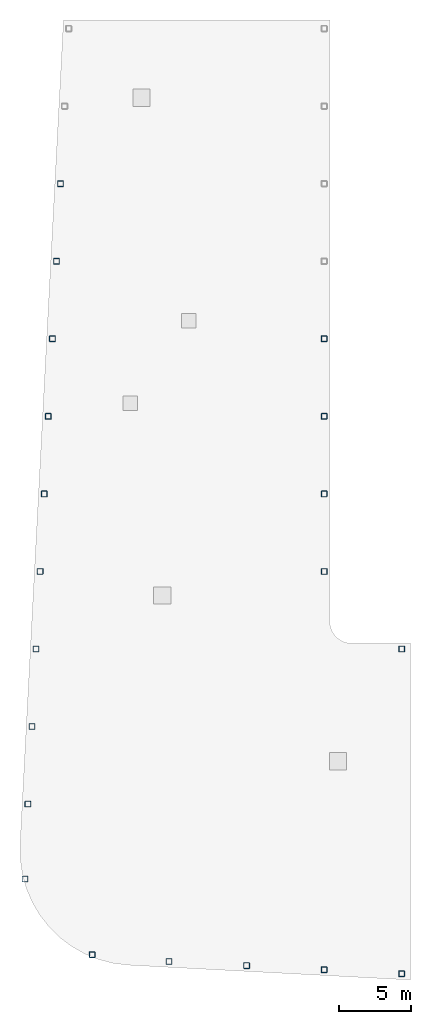
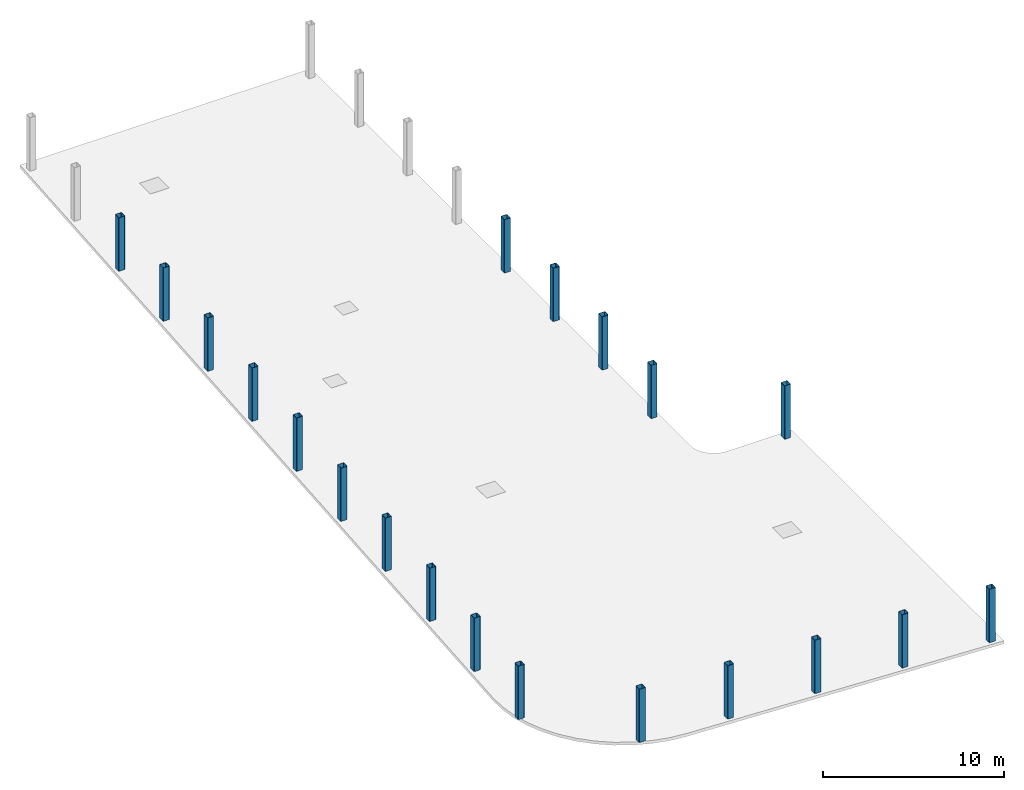
# One storey, part 1 of 3: 20 columns.
"""IFC4 building model written with IfcOpenShell, lengths in metres."""

from ifc_helpers import new_model, si_unit, direction, frame, origin, origin_2d, place, context, subcontext, project, spatial, hollow_rectangle, extrude, material, material_profile, profile_set, type_object, element, save


model = new_model("IFC4")

# Units and contexts
model_context = context("Model", 3, precision=1e-05, world=origin(), true_north=direction((0.0, 1.0)))
body_context = subcontext(model_context, "Body", "Model", "MODEL_VIEW")
ifc_project = project(units=[si_unit("LENGTHUNIT", "METRE"), si_unit("AREAUNIT", "SQUARE_METRE"), si_unit("VOLUMEUNIT", "CUBIC_METRE"), si_unit("PLANEANGLEUNIT", "RADIAN"), si_unit("MASSUNIT", "GRAM", prefix="KILO")], contexts=[model_context])

# Site, building, storey
site_placement = place(None, origin())
site = spatial("IfcSite", under=ifc_project, at=site_placement, CompositionType="ELEMENT")
building_placement = place(site_placement, origin())
building = spatial("IfcBuilding", under=site, at=building_placement, Name="Kheshtan School and Residences Tower", CompositionType="ELEMENT")
storey_placement = place(building_placement, frame((0.0, 0.0, 412.800048828125)))
storey = spatial("IfcBuildingStorey", under=building, at=storey_placement, Name="Roof", CompositionType="ELEMENT", Elevation=412.800048828125)

# Columns
ifc_material = material(Name="Steel ASTM A500 Grade C", Category="steel")
ifc_material_profile = material_profile(ifc_material, hollow_rectangle(XDim=0.406005859375, YDim=0.406005859375, WallThickness=0.01904296875, InnerFilletRadius=0.01904296875, OuterFilletRadius=0.0380859375, at=origin_2d()), Name="HSS 406x406x19")
ifc_profile_set = profile_set([ifc_material_profile], Name="Steel ASTM A500 Grade C")
column_type = type_object("IfcColumnType", Name="Column CF1 HSS 406x406x19 ASTM A500 Grade C", PredefinedType="COLUMN", material=ifc_profile_set)
for number, where, z_axis, x_axis, name in (
    (1, (53.0, 22.97998046875, 0.0), (0.0, 0.0, 1.0), (1.0, 0.0, 0.0), "Crown frame post C019"),
    (2, (47.60009765625, 23.263916015625, 0.0), (0.0, 0.0, 1.0), (1.0, 0.0, 0.0), "Crown frame post C020"),
    (3, (42.199951171875, 23.548095703125, 0.0), (0.0, 0.0, 1.0), (1.0, 0.0, 0.0), "Crown frame post C021"),
    (4, (36.800048828125, 23.83203125, 0.0), (0.0, 0.0, 1.0), (1.0, 0.0, 0.0), "Crown frame post C022"),
    (5, (31.447021484375, 24.31005859375, 0.0), (0.0, 0.0, 1.0), (1.0, 0.0, 0.0), "Crown frame post C034"),
    (6, (26.76708984375, 29.58203125, 0.0), (0.0, 0.0, 1.0), (1.0, 0.0, 0.0), "Crown frame post C048"),
    (7, (26.968994140625, 34.800048828125, 0.0), (0.0, 0.0, 1.0), (1.0, 0.0, 0.0), "Crown frame post C052"),
    (8, (27.2529296875, 40.199951171875, 0.0), (0.0, 0.0, 1.0), (1.0, 0.0, 0.0), "Crown frame post C056"),
    (9, (27.537109375, 45.60009765625, 0.0), (0.0, 0.0, 1.0), (1.0, 0.0, 0.0), "Crown frame post C059"),
    (10, (53.0, 45.60009765625, 0.0), (0.0, 0.0, 1.0), (1.0, 0.0, 0.0), "Crown frame post C061"),
    (11, (27.822021484375, 51.0, 0.0), (0.0, 0.0, 1.0), (1.0, 0.0, 0.0), "Crown frame post C078"),
    (12, (47.60009765625, 51.0, 0.0), (0.0, 0.0, 1.0), (1.0, 0.0, 0.0), "Crown frame post C079"),
    (13, (28.10595703125, 56.39990234375, 0.0), (0.0, 0.0, 1.0), (1.0, 0.0, 0.0), "Crown frame post C080"),
    (14, (47.60009765625, 56.39990234375, 0.0), (0.0, 0.0, 1.0), (1.0, 0.0, 0.0), "Crown frame post C081"),
    (15, (28.389892578125, 61.800048828125, 0.0), (0.0, 0.0, 1.0), (1.0, 0.0, 0.0), "Crown frame post C082"),
    (16, (47.60009765625, 61.800048828125, 0.0), (0.0, 0.0, 1.0), (1.0, 0.0, 0.0), "Crown frame post C083"),
    (17, (28.674072265625, 67.199951171875, 0.0), (0.0, 0.0, 1.0), (1.0, 0.0, 0.0), "Crown frame post C084"),
    (18, (47.60009765625, 67.199951171875, 0.0), (0.0, 0.0, 1.0), (1.0, 0.0, 0.0), "Crown frame post C085"),
    (19, (28.9580078125, 72.60009765625, 0.0), (0.0, 0.0, 1.0), (1.0, 0.0, 0.0), "Crown frame post C086"),
    (20, (29.242919921875, 78.0, 0.0), (0.0, 0.0, 1.0), (1.0, 0.0, 0.0), "Crown frame post C088"),
):
    element("IfcColumn", number, at=place(storey_placement, frame(where, z_axis=z_axis, x_axis=x_axis)), inside=storey, type_object=column_type, Name=name, PredefinedType="COLUMN", context=body_context, shape_type="SweptSolid", body=[
        extrude(hollow_rectangle(XDim=0.406005859375, YDim=0.406005859375, WallThickness=0.01904296875, InnerFilletRadius=0.01904296875, OuterFilletRadius=0.0380859375, at=origin_2d()), origin(), (0.0, 0.0, 1.0), 3.599853515625),
    ])

save(model, "model.ifc")
